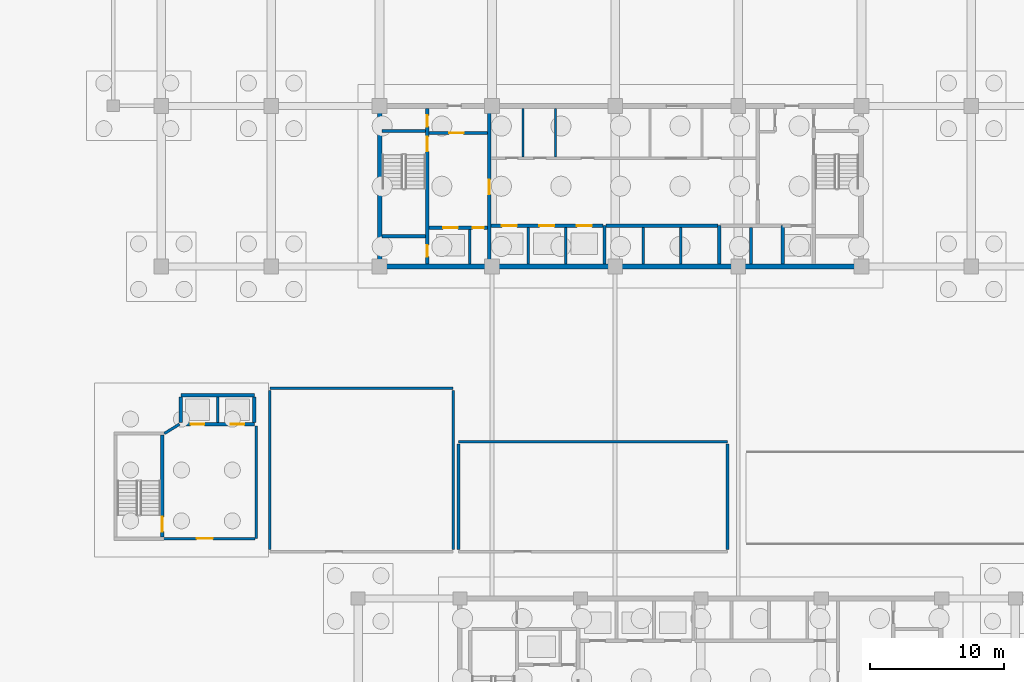
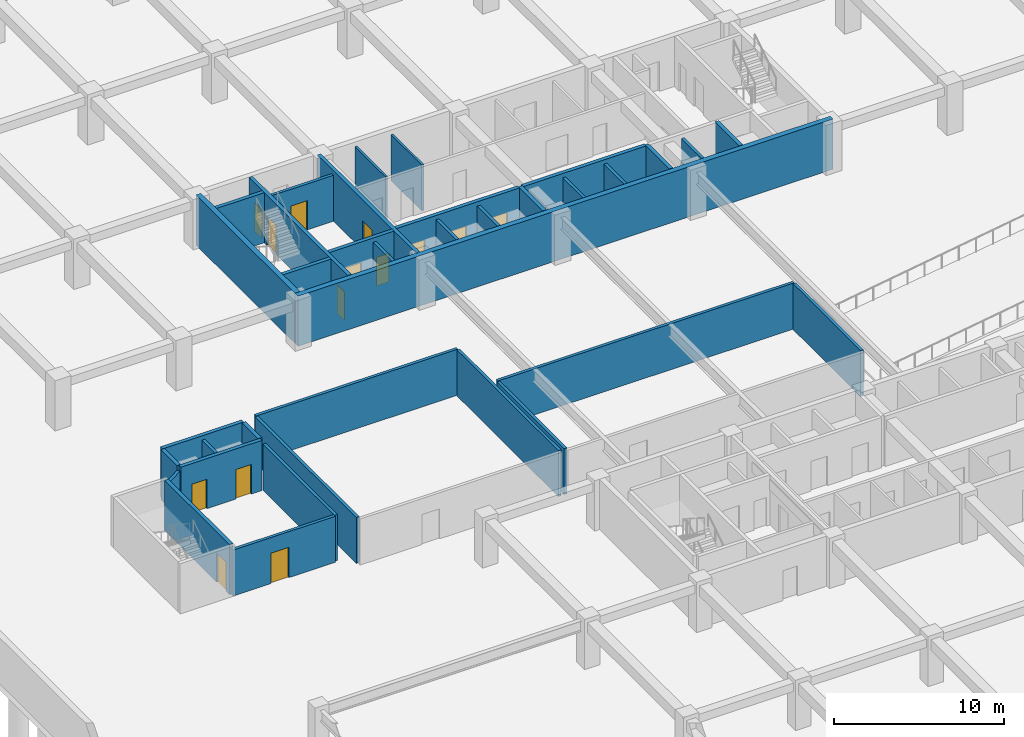
# One storey, part 13 of 26: 36 walls, 14 doors, 14 openings.
"""IFC4 building model written with IfcOpenShell, lengths in metres."""

from ifc_helpers import new_model, si_unit, direction, frame, frame_2d, origin, place, context, subcontext, project, spatial, rectangle, extrude, material, layer, layer_set, type_object, element, fill, save


model = new_model("IFC4")

# Units and contexts
model_context = context("Model", 3, precision=1e-05, world=origin(), true_north=direction((0.0, 1.0)))
body_context = subcontext(model_context, "Body", "Model", "MODEL_VIEW")
ifc_project = project(units=[si_unit("LENGTHUNIT", "METRE"), si_unit("AREAUNIT", "SQUARE_METRE"), si_unit("VOLUMEUNIT", "CUBIC_METRE"), si_unit("PLANEANGLEUNIT", "RADIAN"), si_unit("MASSUNIT", "GRAM", prefix="KILO")], contexts=[model_context])

# Site, building, storey
site_placement = place(None, origin())
site = spatial("IfcSite", under=ifc_project, at=site_placement, CompositionType="ELEMENT")
building_placement = place(site_placement, origin())
building = spatial("IfcBuilding", under=site, at=building_placement, Name="Korimba Cascade Residences", CompositionType="ELEMENT")
storey_placement = place(building_placement, frame((0.0, 0.0, -10.800048828125)))
storey = spatial("IfcBuildingStorey", under=building, at=storey_placement, Name="B03", CompositionType="ELEMENT", Elevation=-10.800048828125)

# Walls
ifc_material_1 = material(Name="Concrete C65/80", Category="concrete")
ifc_layer_1 = layer(ifc_material_1, 0.35009765625)
ifc_layer_set_1 = layer_set([ifc_layer_1], Name="Concrete C65/80")
wall_type_1 = type_object("IfcWallType", Name="WAL-CORE-350", PredefinedType="SHEAR", material=ifc_layer_set_1)
wall_1_placement = place(storey_placement, frame((75.949951171875, 55.199951171875, 0.0), z_axis=(0.0, 0.0, 1.0), x_axis=(1.0, 0.0, 0.0)))
element("IfcWall", 1, at=wall_1_placement, inside=storey, type_object=wall_type_1, Name="B03 Core Shear Wall CW-B03-T1-S", PredefinedType="SHEAR", context=body_context, shape_type="SweptSolid", body=[
    extrude(rectangle(XDim=36.300048828125, YDim=0.35009765625, at=frame_2d((18.14990234375, 0.0))), origin(), (0.0, 0.0, 1.0), 3.60009765625),
])
wall_2_placement = place(storey_placement, frame((76.125, 55.375, 0.0), z_axis=(0.0, 0.0, 1.0), x_axis=(0.0, 1.0, 0.0)))
element("IfcWall", 2, at=wall_2_placement, inside=storey, type_object=wall_type_1, Name="B03 Core Shear Wall CW-B03-T1-W", PredefinedType="SHEAR", context=body_context, shape_type="SweptSolid", body=[
    extrude(rectangle(XDim=11.64990234375, YDim=0.35009765625, at=frame_2d((5.824951171875, 0.0))), origin(), (0.0, 0.0, 1.0), 3.60009765625),
])
ifc_material_2 = material(Name="Insulated Acoustic Stud Partition", Category="gypsum")
ifc_layer_2 = layer(ifc_material_2, 0.14990234375)
ifc_layer_set_2 = layer_set([ifc_layer_2], Name="Insulated Acoustic Stud Partition")
wall_type_2 = type_object("IfcWallType", Name="WAL-PART-150", PredefinedType="PARTITIONING", material=ifc_layer_set_2)
for number, where, z_axis, x_axis, name in (
    (3, (86.800048828125, 63.39990234375, 0.0), (0.0, 0.0, 1.0), (0.0, 1.0, 0.0), "B03 Partition Wall CW-B03-T1-ERDIV"),
    (4, (89.25, 63.39990234375, 0.0), (0.0, 0.0, 1.0), (0.0, 1.0, 0.0), "B03 Partition Wall CW-B03-T1-PRDIV"),
):
    element("IfcWall", number, at=place(storey_placement, frame(where, z_axis=z_axis, x_axis=x_axis)), inside=storey, type_object=wall_type_2, Name=name, PredefinedType="PARTITIONING", context=body_context, shape_type="SweptSolid", body=[
        extrude(rectangle(XDim=3.60009765625, YDim=0.14990234375, at=frame_2d((1.800048828125, 0.0))), origin(), (0.0, 0.0, 1.0), 3.300048828125),
    ])
ifc_material_3 = material(Name="Concrete C40/50", Category="concrete")
ifc_layer_3 = layer(ifc_material_3, 0.199951171875)
ifc_layer_set_3 = layer_set([ifc_layer_3], Name="Concrete C40/50")
wall_type_3 = type_object("IfcWallType", Name="WAL-PART-200", PredefinedType="PARTITIONING", material=ifc_layer_set_3)
wall_3_placement = place(storey_placement, frame((82.85009765625, 55.39990234375, 0.0), z_axis=(0.0, 0.0, 1.0), x_axis=(0.0, 1.0, 0.0)))
element("IfcWall", 5, at=wall_3_placement, inside=storey, type_object=wall_type_3, Name="B03 Partition Wall CW-B03-T1-FFLDIV", PredefinedType="PARTITIONING", context=body_context, shape_type="SweptSolid", body=[
    extrude(rectangle(XDim=2.56005859375, YDim=0.199951171875, at=frame_2d((1.280029296875, 0.0))), origin(), (0.0, 0.0, 1.0), 3.300048828125),
])

# Wall, opening, door
wall_4_placement = place(storey_placement, frame((79.7900390625, 65.179931640625, 0.0), z_axis=(0.0, 0.0, 1.0), x_axis=(1.0, 0.0, 0.0)))
wall_4 = element("IfcWall", 6, at=wall_4_placement, inside=storey, type_object=wall_type_3, Name="B03 Partition Wall CW-B03-T1-FFLN", PredefinedType="PARTITIONING", context=body_context, shape_type="SweptSolid", body=[
    extrude(rectangle(XDim=4.389892578125, YDim=0.199951171875, at=frame_2d((2.19482421875, 0.0))), origin(), (0.0, 0.0, 1.0), 3.300048828125),
])
opening_1_placement = place(wall_4_placement, frame((1.5, 0.0, 0.0)))
opening_1 = element("IfcOpeningElement", 7, at=opening_1_placement, cuts=wall_4, Name="Opening D-FD1", PredefinedType="OPENING", context=body_context, shape_type="SweptSolid", body=[
    extrude(rectangle(XDim=1.10009765625, YDim=2.10009765625, at=frame_2d((0.550048828125, 1.050048828125))), frame((0.0, 0.10986328125, 0.0), z_axis=(0.0, -1.0, 0.0), x_axis=(1.0, 0.0, 0.0)), (0.0, 0.0, 1.0), 0.219970703125),
])
ifc_material_4 = material(Name="Fire-Rated Steel Core Door", Category="steel")
door_type_1 = type_object("IfcDoorType", Name="DR-FD120-1100", OperationType="NOTDEFINED", PredefinedType="DOOR", material=ifc_material_4)
door_1_placement = place(opening_1_placement, origin())
door_1 = element("IfcDoor", 8, at=door_1_placement, inside=storey, type_object=door_type_1, Name="B03 West Firefighting Lobby Door", OperationType="SINGLE_SWING_RIGHT", OverallHeight=2.10009765625, OverallWidth=1.10009765625, PredefinedType="DOOR", context=body_context, shape_type="SweptSolid", body=[
    extrude(rectangle(XDim=1.10009765625, YDim=2.10009765625, at=frame_2d((0.550048828125, 1.050048828125))), frame((0.0, 0.02490234375, 0.0), z_axis=(0.0, -1.0, 0.0), x_axis=(1.0, 0.0, 0.0)), (0.0, 0.0, 1.0), 0.050048828125),
])
fill(opening_1, door_1)

# Walls
for number, where, z_axis, x_axis, name in (
    (9, (87.199951171875, 55.39990234375, 0.0), (0.0, 0.0, 1.0), (0.0, 1.0, 0.0), "B03 Partition Wall CW-B03-T1-B1D1"),
    (10, (90.0, 55.39990234375, 0.0), (0.0, 0.0, 1.0), (0.0, 1.0, 0.0), "B03 Partition Wall CW-B03-T1-B1D2"),
    (11, (95.800048828125, 55.39990234375, 0.0), (0.0, 0.0, 1.0), (0.0, 1.0, 0.0), "B03 Partition Wall CW-B03-T1-B2D1"),
    (12, (98.60009765625, 55.39990234375, 0.0), (0.0, 0.0, 1.0), (0.0, 1.0, 0.0), "B03 Partition Wall CW-B03-T1-B2D2"),
    (13, (103.85009765625, 55.39990234375, 0.0), (0.0, 0.0, 1.0), (0.0, 1.0, 0.0), "B03 Partition Wall CW-B03-T1-B3D1"),
):
    element("IfcWall", number, at=place(storey_placement, frame(where, z_axis=z_axis, x_axis=x_axis)), inside=storey, type_object=wall_type_3, Name=name, PredefinedType="PARTITIONING", context=body_context, shape_type="SweptSolid", body=[
        extrude(rectangle(XDim=2.72021484375, YDim=0.199951171875, at=frame_2d((1.360107421875, 0.0))), origin(), (0.0, 0.0, 1.0), 3.300048828125),
    ])
wall_5_placement = place(storey_placement, frame((64.0, 43.550048828125, 0.0), z_axis=(0.0, 0.0, 1.0), x_axis=(0.0, 1.0, 0.0)))
element("IfcWall", 14, at=wall_5_placement, inside=storey, type_object=wall_type_3, Name="B03 Partition Wall CW-B03-SHPM", PredefinedType="PARTITIONING", context=body_context, shape_type="SweptSolid", body=[
    extrude(rectangle(XDim=1.89990234375, YDim=0.199951171875, at=frame_2d((0.949951171875, 0.0))), origin(), (0.0, 0.0, 1.0), 3.300048828125),
])

# Wall, opening, door
wall_6_placement = place(storey_placement, frame((59.840087890625, 34.875, 0.0), z_axis=(0.0, 0.0, 1.0), x_axis=(1.0, 0.0, 0.0)))
wall_6 = element("IfcWall", 15, at=wall_6_placement, inside=storey, type_object=wall_type_3, Name="B03 Partition Wall CW-B03-PLOBS", PredefinedType="PARTITIONING", context=body_context, shape_type="SweptSolid", body=[
    extrude(rectangle(XDim=6.9599609375, YDim=0.199951171875, at=frame_2d((3.47998046875, 0.0))), origin(), (0.0, 0.0, 1.0), 3.300048828125),
])
opening_2_placement = place(wall_6_placement, frame((2.60009765625, 0.0, 0.0)))
opening_2 = element("IfcOpeningElement", 16, at=opening_2_placement, cuts=wall_6, Name="Opening D-FD7", PredefinedType="OPENING", context=body_context, shape_type="SweptSolid", body=[
    extrude(rectangle(XDim=1.199951171875, YDim=2.179931640625, at=frame_2d((0.60009765625, 1.08984375))), frame((0.0, 0.10986328125, 0.0), z_axis=(0.0, -1.0, 0.0), x_axis=(1.0, 0.0, 0.0)), (0.0, 0.0, 1.0), 0.219970703125),
])
ifc_material_5 = material(Name="Fire-Rated Shuttle Lobby Door", Category="wood")
door_type_2 = type_object("IfcDoorType", Name="DR-FD90-1200", OperationType="NOTDEFINED", PredefinedType="DOOR", material=ifc_material_5)
door_2_placement = place(opening_2_placement, origin())
door_2 = element("IfcDoor", 17, at=door_2_placement, inside=storey, type_object=door_type_2, Name="B03 Shuttle Lobby Door", OperationType="SINGLE_SWING_RIGHT", OverallHeight=2.179931640625, OverallWidth=1.199951171875, PredefinedType="DOOR", context=body_context, shape_type="SweptSolid", body=[
    extrude(rectangle(XDim=1.199951171875, YDim=2.179931640625, at=frame_2d((0.60009765625, 1.08984375))), frame((0.0, 0.02490234375, 0.0), z_axis=(0.0, -1.0, 0.0), x_axis=(1.0, 0.0, 0.0)), (0.0, 0.0, 1.0), 0.050048828125),
])
fill(opening_2, door_2)

# Walls
wall_7_placement = place(storey_placement, frame((66.89990234375, 34.875, 0.0), z_axis=(0.0, 0.0, 1.0), x_axis=(0.0, 1.0, 0.0)))
element("IfcWall", 18, at=wall_7_placement, inside=storey, type_object=wall_type_3, Name="B03 Partition Wall CW-B03-PLOBE", PredefinedType="PARTITIONING", context=body_context, shape_type="SweptSolid", body=[
    extrude(rectangle(XDim=8.425048828125, YDim=0.199951171875, at=frame_2d((4.21240234375, 0.0))), origin(), (0.0, 0.0, 1.0), 3.300048828125),
])
wall_8_placement = place(storey_placement, frame((60.02001953125, 42.72509765625, 0.0), z_axis=(0.0, 0.0, 1.0), x_axis=(0.851822584555, 0.523830396638, 0.0)))
element("IfcWall", 19, at=wall_8_placement, inside=storey, type_object=wall_type_3, Name="B03 Partition Wall CW-B03-PLOBN", PredefinedType="PARTITIONING", context=body_context, shape_type="SweptSolid", body=[
    extrude(rectangle(XDim=1.326416015625, YDim=0.199951171875, at=frame_2d((0.6630859375, 0.0))), origin(), (0.0, 0.0, 1.0), 3.300048828125),
])
wall_9_placement = place(storey_placement, frame((67.89990234375, 46.10009765625, 0.0), z_axis=(0.0, 0.0, 1.0), x_axis=(1.0, 0.0, 0.0)))
element("IfcWall", 20, at=wall_9_placement, inside=storey, type_object=wall_type_3, Name="B03 Partition Wall WAL-B03-PMPN", PredefinedType="PARTITIONING", context=body_context, shape_type="SweptSolid", body=[
    extrude(rectangle(XDim=13.7001953125, YDim=0.199951171875, at=frame_2d((6.85009765625, 0.0))), origin(), (0.0, 0.0, 1.0), 3.300048828125),
])
for number, where, z_axis, x_axis, name in (
    (21, (67.89990234375, 34.050048828125, 0.0), (0.0, 0.0, 1.0), (0.0, 1.0, 0.0), "B03 Partition Wall WAL-B03-PMPW"),
    (22, (81.60009765625, 34.050048828125, 0.0), (0.0, 0.0, 1.0), (0.0, 1.0, 0.0), "B03 Partition Wall WAL-B03-PMPE"),
):
    element("IfcWall", number, at=place(storey_placement, frame(where, z_axis=z_axis, x_axis=x_axis)), inside=storey, type_object=wall_type_3, Name=name, PredefinedType="PARTITIONING", context=body_context, shape_type="SweptSolid", body=[
        extrude(rectangle(XDim=11.89990234375, YDim=0.199951171875, at=frame_2d((5.949951171875, 0.0))), origin(), (0.0, 0.0, 1.0), 3.300048828125),
    ])
wall_10_placement = place(storey_placement, frame((82.0, 42.10009765625, 0.0), z_axis=(0.0, 0.0, 1.0), x_axis=(1.0, 0.0, 0.0)))
element("IfcWall", 23, at=wall_10_placement, inside=storey, type_object=wall_type_3, Name="B03 Partition Wall WAL-B03-HVSN", PredefinedType="PARTITIONING", context=body_context, shape_type="SweptSolid", body=[
    extrude(rectangle(XDim=20.10009765625, YDim=0.199951171875, at=frame_2d((10.050048828125, 0.0))), origin(), (0.0, 0.0, 1.0), 3.300048828125),
])
for number, where, z_axis, x_axis, name in (
    (24, (82.0, 34.050048828125, 0.0), (0.0, 0.0, 1.0), (0.0, 1.0, 0.0), "B03 Partition Wall WAL-B03-HVSW"),
    (25, (102.10009765625, 34.050048828125, 0.0), (0.0, 0.0, 1.0), (0.0, 1.0, 0.0), "B03 Partition Wall WAL-B03-HVSE"),
):
    element("IfcWall", number, at=place(storey_placement, frame(where, z_axis=z_axis, x_axis=x_axis)), inside=storey, type_object=wall_type_3, Name=name, PredefinedType="PARTITIONING", context=body_context, shape_type="SweptSolid", body=[
        extrude(rectangle(XDim=7.89990234375, YDim=0.199951171875, at=frame_2d((3.949951171875, 0.0))), origin(), (0.0, 0.0, 1.0), 3.300048828125),
    ])

# Wall, openings, doors
ifc_material_6 = material(Name="Concrete C50/60", Category="concrete")
ifc_layer_4 = layer(ifc_material_6, 0.25)
ifc_layer_set_4 = layer_set([ifc_layer_4], Name="Concrete C50/60")
wall_type_4 = type_object("IfcWallType", Name="WAL-SHAFT-250", PredefinedType="SHEAR", material=ifc_layer_set_4)
wall_11_placement = place(storey_placement, frame((79.6650390625, 55.39990234375, 0.0), z_axis=(0.0, 0.0, 1.0), x_axis=(0.0, 1.0, 0.0)))
wall_11 = element("IfcWall", 26, at=wall_11_placement, inside=storey, type_object=wall_type_4, Name="B03 Core Shear Wall CW-B03-T1-STW1E", PredefinedType="SHEAR", context=body_context, shape_type="SweptSolid", body=[
    extrude(rectangle(XDim=11.60009765625, YDim=0.25, at=frame_2d((5.800048828125, 0.0))), origin(), (0.0, 0.0, 1.0), 3.60009765625),
])
opening_3_placement = place(wall_11_placement, frame((0.550048828125, 0.0, 0.0)))
opening_3 = element("IfcOpeningElement", 27, at=opening_3_placement, cuts=wall_11, Name="Opening D-RS1", PredefinedType="OPENING", context=body_context, shape_type="SweptSolid", body=[
    extrude(rectangle(XDim=0.85009765625, YDim=2.050048828125, at=frame_2d((0.425048828125, 1.02490234375))), frame((0.0, 0.135009765625, 0.0), z_axis=(0.0, -1.0, 0.0), x_axis=(1.0, 0.0, 0.0)), (0.0, 0.0, 1.0), 0.27001953125),
])
opening_4_placement = place(wall_11_placement, frame((8.39990234375, 0.0, 0.0)))
opening_4 = element("IfcOpeningElement", 28, at=opening_4_placement, cuts=wall_11, Name="Opening D-FD1", PredefinedType="OPENING", context=body_context, shape_type="SweptSolid", body=[
    extrude(rectangle(XDim=1.10009765625, YDim=2.10009765625, at=frame_2d((0.550048828125, 1.050048828125))), frame((0.0, 0.135009765625, 0.0), z_axis=(0.0, -1.0, 0.0), x_axis=(1.0, 0.0, 0.0)), (0.0, 0.0, 1.0), 0.27001953125),
])
opening_5_placement = place(wall_11_placement, frame((10.25, 0.0, 0.0)))
opening_5 = element("IfcOpeningElement", 29, at=opening_5_placement, cuts=wall_11, Name="Opening D-RS1", PredefinedType="OPENING", context=body_context, shape_type="SweptSolid", body=[
    extrude(rectangle(XDim=0.85009765625, YDim=2.050048828125, at=frame_2d((0.425048828125, 1.02490234375))), frame((0.0, 0.135009765625, 0.0), z_axis=(0.0, -1.0, 0.0), x_axis=(1.0, 0.0, 0.0)), (0.0, 0.0, 1.0), 0.27001953125),
])
door_3_placement = place(opening_4_placement, origin())
door_3 = element("IfcDoor", 30, at=door_3_placement, inside=storey, type_object=door_type_1, Name="B03 Fire Stair ST-W1 Door", OperationType="SINGLE_SWING_LEFT", OverallHeight=2.10009765625, OverallWidth=1.10009765625, PredefinedType="DOOR", context=body_context, shape_type="SweptSolid", body=[
    extrude(rectangle(XDim=1.10009765625, YDim=2.10009765625, at=frame_2d((0.550048828125, 1.050048828125))), frame((0.0, 0.02490234375, 0.0), z_axis=(0.0, -1.0, 0.0), x_axis=(1.0, 0.0, 0.0)), (0.0, 0.0, 1.0), 0.050048828125),
])
fill(opening_4, door_3)
ifc_material_7 = material(Name="Fire-Rated Steel Riser Access Door", Category="steel")
door_type_3 = type_object("IfcDoorType", Name="DR-FD60-850", OperationType="NOTDEFINED", PredefinedType="DOOR", material=ifc_material_7)
door_4_placement = place(opening_3_placement, origin())
door_4 = element("IfcDoor", 31, at=door_4_placement, inside=storey, type_object=door_type_3, Name="B03 Smoke Riser Access Door", OperationType="SINGLE_SWING_RIGHT", OverallHeight=2.050048828125, OverallWidth=0.85009765625, PredefinedType="DOOR", context=body_context, shape_type="SweptSolid", body=[
    extrude(rectangle(XDim=0.85009765625, YDim=2.050048828125, at=frame_2d((0.425048828125, 1.02490234375))), frame((0.0, 0.02490234375, 0.0), z_axis=(0.0, -1.0, 0.0), x_axis=(1.0, 0.0, 0.0)), (0.0, 0.0, 1.0), 0.050048828125),
])
fill(opening_3, door_4)
door_5_placement = place(opening_5_placement, origin())
door_5 = element("IfcDoor", 32, at=door_5_placement, inside=storey, type_object=door_type_3, Name="B03 Hydrant Riser Access Door", OperationType="SINGLE_SWING_RIGHT", OverallHeight=2.050048828125, OverallWidth=0.85009765625, PredefinedType="DOOR", context=body_context, shape_type="SweptSolid", body=[
    extrude(rectangle(XDim=0.85009765625, YDim=2.050048828125, at=frame_2d((0.425048828125, 1.02490234375))), frame((0.0, 0.02490234375, 0.0), z_axis=(0.0, -1.0, 0.0), x_axis=(1.0, 0.0, 0.0)), (0.0, 0.0, 1.0), 0.050048828125),
])
fill(opening_5, door_5)

# Walls
for number, where, z_axis, x_axis, name in (
    (33, (76.300048828125, 57.47509765625, 0.0), (0.0, 0.0, 1.0), (1.0, 0.0, 0.0), "B03 Core Shear Wall CW-B03-T1-STW1S"),
    (34, (76.300048828125, 65.324951171875, 0.0), (0.0, 0.0, 1.0), (1.0, 0.0, 0.0), "B03 Core Shear Wall CW-B03-T1-STW1N"),
):
    element("IfcWall", number, at=place(storey_placement, frame(where, z_axis=z_axis, x_axis=x_axis)), inside=storey, type_object=wall_type_4, Name=name, PredefinedType="SHEAR", context=body_context, shape_type="SweptSolid", body=[
        extrude(rectangle(XDim=3.239990234375, YDim=0.25, at=frame_2d((1.6201171875, 0.0))), origin(), (0.0, 0.0, 1.0), 3.60009765625),
    ])

# Wall, openings, doors
wall_12_placement = place(storey_placement, frame((79.7900390625, 58.10009765625, 0.0), z_axis=(0.0, 0.0, 1.0), x_axis=(1.0, 0.0, 0.0)))
wall_12 = element("IfcWall", 35, at=wall_12_placement, inside=storey, type_object=wall_type_4, Name="B03 Core Shear Wall CW-B03-T1-FFLS", PredefinedType="SHEAR", context=body_context, shape_type="SweptSolid", body=[
    extrude(rectangle(XDim=4.389892578125, YDim=0.25, at=frame_2d((2.19482421875, 0.0))), origin(), (0.0, 0.0, 1.0), 3.60009765625),
])
opening_6_placement = place(wall_12_placement, frame((1.050048828125, 0.0, 0.0)))
opening_6 = element("IfcOpeningElement", 36, at=opening_6_placement, cuts=wall_12, Name="Opening LD-01", PredefinedType="OPENING", context=body_context, shape_type="SweptSolid", body=[
    extrude(rectangle(XDim=1.1201171875, YDim=2.1201171875, at=frame_2d((0.56005859375, 1.06005859375))), frame((0.0, 0.135009765625, 0.0), z_axis=(0.0, -1.0, 0.0), x_axis=(1.0, 0.0, 0.0)), (0.0, 0.0, 1.0), 0.27001953125),
])
opening_7_placement = place(wall_12_placement, frame((3.260009765625, 0.0, 0.0)))
opening_7 = element("IfcOpeningElement", 37, at=opening_7_placement, cuts=wall_12, Name="Opening D-RS1", PredefinedType="OPENING", context=body_context, shape_type="SweptSolid", body=[
    extrude(rectangle(XDim=0.85009765625, YDim=2.050048828125, at=frame_2d((0.425048828125, 1.02490234375))), frame((0.0, 0.135009765625, 0.0), z_axis=(0.0, -1.0, 0.0), x_axis=(1.0, 0.0, 0.0)), (0.0, 0.0, 1.0), 0.27001953125),
])
door_6_placement = place(opening_7_placement, origin())
door_6 = element("IfcDoor", 38, at=door_6_placement, inside=storey, type_object=door_type_3, Name="B03 Pressurisation Riser Door", OperationType="SINGLE_SWING_LEFT", OverallHeight=2.050048828125, OverallWidth=0.85009765625, PredefinedType="DOOR", context=body_context, shape_type="SweptSolid", body=[
    extrude(rectangle(XDim=0.85009765625, YDim=2.050048828125, at=frame_2d((0.425048828125, 1.02490234375))), frame((0.0, 0.02490234375, 0.0), z_axis=(0.0, -1.0, 0.0), x_axis=(1.0, 0.0, 0.0)), (0.0, 0.0, 1.0), 0.050048828125),
])
fill(opening_7, door_6)
ifc_material_8 = material(Name="Stainless Steel Lift Landing Sliding Door", Category="steel")
door_type_4 = type_object("IfcDoorType", Name="DR-LIFT-1100", OperationType="NOTDEFINED", PredefinedType="DOOR", material=ifc_material_8)
door_7_placement = place(opening_6_placement, origin())
door_7 = element("IfcDoor", 39, at=door_7_placement, inside=storey, type_object=door_type_4, Name="B03 Firefighting Lift Landing Door FFL-W1", OperationType="SLIDING_TO_LEFT", OverallHeight=2.1201171875, OverallWidth=1.1201171875, PredefinedType="DOOR", context=body_context, shape_type="SweptSolid", body=[
    extrude(rectangle(XDim=1.1201171875, YDim=2.1201171875, at=frame_2d((0.56005859375, 1.06005859375))), frame((0.0, 0.02490234375, 0.0), z_axis=(0.0, -1.0, 0.0), x_axis=(1.0, 0.0, 0.0)), (0.0, 0.0, 1.0), 0.050048828125),
])
fill(opening_6, door_7)

# Wall, opening, door
wall_13_placement = place(storey_placement, frame((84.300048828125, 55.39990234375, 0.0), z_axis=(0.0, 0.0, 1.0), x_axis=(0.0, 1.0, 0.0)))
wall_13 = element("IfcWall", 40, at=wall_13_placement, inside=storey, type_object=wall_type_4, Name="B03 Core Shear Wall CW-B03-T1-FFLE", PredefinedType="SHEAR", context=body_context, shape_type="SweptSolid", body=[
    extrude(rectangle(XDim=11.60009765625, YDim=0.25, at=frame_2d((5.800048828125, 0.0))), origin(), (0.0, 0.0, 1.0), 3.60009765625),
])
opening_8_placement = place(wall_13_placement, frame((5.199951171875, 0.0, 0.0)))
opening_8 = element("IfcOpeningElement", 41, at=opening_8_placement, cuts=wall_13, Name="Opening D-FD1", PredefinedType="OPENING", context=body_context, shape_type="SweptSolid", body=[
    extrude(rectangle(XDim=1.10009765625, YDim=2.10009765625, at=frame_2d((0.550048828125, 1.050048828125))), frame((0.0, 0.135009765625, 0.0), z_axis=(0.0, -1.0, 0.0), x_axis=(1.0, 0.0, 0.0)), (0.0, 0.0, 1.0), 0.27001953125),
])
door_8_placement = place(opening_8_placement, origin())
door_8 = element("IfcDoor", 42, at=door_8_placement, inside=storey, type_object=door_type_1, Name="B03 Firefighting Lobby to Lift Lobby Door", OperationType="SINGLE_SWING_LEFT", OverallHeight=2.10009765625, OverallWidth=1.10009765625, PredefinedType="DOOR", context=body_context, shape_type="SweptSolid", body=[
    extrude(rectangle(XDim=1.10009765625, YDim=2.10009765625, at=frame_2d((0.550048828125, 1.050048828125))), frame((0.0, 0.02490234375, 0.0), z_axis=(0.0, -1.0, 0.0), x_axis=(1.0, 0.0, 0.0)), (0.0, 0.0, 1.0), 0.050048828125),
])
fill(opening_8, door_8)

# Wall, openings, doors
wall_14_placement = place(storey_placement, frame((84.419921875, 58.25, 0.0), z_axis=(0.0, 0.0, 1.0), x_axis=(1.0, 0.0, 0.0)))
wall_14 = element("IfcWall", 43, at=wall_14_placement, inside=storey, type_object=wall_type_4, Name="B03 Core Shear Wall CW-B03-T1-B1N", PredefinedType="SHEAR", context=body_context, shape_type="SweptSolid", body=[
    extrude(rectangle(XDim=8.360107421875, YDim=0.25, at=frame_2d((4.18017578125, 0.0))), origin(), (0.0, 0.0, 1.0), 3.60009765625),
])
opening_9_placement = place(wall_14_placement, frame((0.820068359375, 0.0, 0.0)))
opening_9 = element("IfcOpeningElement", 44, at=opening_9_placement, cuts=wall_14, Name="Opening LD-01", PredefinedType="OPENING", context=body_context, shape_type="SweptSolid", body=[
    extrude(rectangle(XDim=1.1201171875, YDim=2.1201171875, at=frame_2d((0.56005859375, 1.06005859375))), frame((0.0, 0.135009765625, 0.0), z_axis=(0.0, -1.0, 0.0), x_axis=(1.0, 0.0, 0.0)), (0.0, 0.0, 1.0), 0.27001953125),
])
opening_10_placement = place(wall_14_placement, frame((3.6201171875, 0.0, 0.0)))
opening_10 = element("IfcOpeningElement", 45, at=opening_10_placement, cuts=wall_14, Name="Opening LD-01", PredefinedType="OPENING", context=body_context, shape_type="SweptSolid", body=[
    extrude(rectangle(XDim=1.1201171875, YDim=2.1201171875, at=frame_2d((0.56005859375, 1.06005859375))), frame((0.0, 0.135009765625, 0.0), z_axis=(0.0, -1.0, 0.0), x_axis=(1.0, 0.0, 0.0)), (0.0, 0.0, 1.0), 0.27001953125),
])
opening_11_placement = place(wall_14_placement, frame((6.419921875, 0.0, 0.0)))
opening_11 = element("IfcOpeningElement", 46, at=opening_11_placement, cuts=wall_14, Name="Opening LD-01", PredefinedType="OPENING", context=body_context, shape_type="SweptSolid", body=[
    extrude(rectangle(XDim=1.1201171875, YDim=2.1201171875, at=frame_2d((0.56005859375, 1.06005859375))), frame((0.0, 0.135009765625, 0.0), z_axis=(0.0, -1.0, 0.0), x_axis=(1.0, 0.0, 0.0)), (0.0, 0.0, 1.0), 0.27001953125),
])
door_9_placement = place(opening_9_placement, origin())
door_9 = element("IfcDoor", 47, at=door_9_placement, inside=storey, type_object=door_type_4, Name="B03 Lift Landing Door PL-W1", OperationType="SLIDING_TO_LEFT", OverallHeight=2.1201171875, OverallWidth=1.1201171875, PredefinedType="DOOR", context=body_context, shape_type="SweptSolid", body=[
    extrude(rectangle(XDim=1.1201171875, YDim=2.1201171875, at=frame_2d((0.56005859375, 1.06005859375))), frame((0.0, 0.02490234375, 0.0), z_axis=(0.0, -1.0, 0.0), x_axis=(1.0, 0.0, 0.0)), (0.0, 0.0, 1.0), 0.050048828125),
])
fill(opening_9, door_9)
door_10_placement = place(opening_10_placement, origin())
door_10 = element("IfcDoor", 48, at=door_10_placement, inside=storey, type_object=door_type_4, Name="B03 Lift Landing Door PL-W2", OperationType="SLIDING_TO_LEFT", OverallHeight=2.1201171875, OverallWidth=1.1201171875, PredefinedType="DOOR", context=body_context, shape_type="SweptSolid", body=[
    extrude(rectangle(XDim=1.1201171875, YDim=2.1201171875, at=frame_2d((0.56005859375, 1.06005859375))), frame((0.0, 0.02490234375, 0.0), z_axis=(0.0, -1.0, 0.0), x_axis=(1.0, 0.0, 0.0)), (0.0, 0.0, 1.0), 0.050048828125),
])
fill(opening_10, door_10)
door_11_placement = place(opening_11_placement, origin())
door_11 = element("IfcDoor", 49, at=door_11_placement, inside=storey, type_object=door_type_4, Name="B03 Lift Landing Door PL-W3", OperationType="SLIDING_TO_LEFT", OverallHeight=2.1201171875, OverallWidth=1.1201171875, PredefinedType="DOOR", context=body_context, shape_type="SweptSolid", body=[
    extrude(rectangle(XDim=1.1201171875, YDim=2.1201171875, at=frame_2d((0.56005859375, 1.06005859375))), frame((0.0, 0.02490234375, 0.0), z_axis=(0.0, -1.0, 0.0), x_axis=(1.0, 0.0, 0.0)), (0.0, 0.0, 1.0), 0.050048828125),
])
fill(opening_11, door_11)

# Walls
wall_15_placement = place(storey_placement, frame((92.89990234375, 55.39990234375, 0.0), z_axis=(0.0, 0.0, 1.0), x_axis=(0.0, 1.0, 0.0)))
element("IfcWall", 50, at=wall_15_placement, inside=storey, type_object=wall_type_4, Name="B03 Core Shear Wall CW-B03-T1-B12DIV", PredefinedType="SHEAR", context=body_context, shape_type="SweptSolid", body=[
    extrude(rectangle(XDim=2.85009765625, YDim=0.25, at=frame_2d((1.425048828125, 0.0))), origin(), (0.0, 0.0, 1.0), 3.60009765625),
])
wall_16_placement = place(storey_placement, frame((93.02001953125, 58.25, 0.0), z_axis=(0.0, 0.0, 1.0), x_axis=(1.0, 0.0, 0.0)))
element("IfcWall", 51, at=wall_16_placement, inside=storey, type_object=wall_type_4, Name="B03 Core Shear Wall CW-B03-T1-B2N", PredefinedType="SHEAR", context=body_context, shape_type="SweptSolid", body=[
    extrude(rectangle(XDim=8.35986328125, YDim=0.25, at=frame_2d((4.179931640625, 0.0))), origin(), (0.0, 0.0, 1.0), 3.60009765625),
])
for number, where, z_axis, x_axis, name in (
    (52, (101.47998046875, 55.39990234375, 0.0), (0.0, 0.0, 1.0), (0.0, 1.0, 0.0), "B03 Core Shear Wall CW-B03-T1-B23DIV"),
    (53, (106.219970703125, 55.39990234375, 0.0), (0.0, 0.0, 1.0), (0.0, 1.0, 0.0), "B03 Core Shear Wall CW-B03-T1-FF2W"),
):
    element("IfcWall", number, at=place(storey_placement, frame(where, z_axis=z_axis, x_axis=x_axis)), inside=storey, type_object=wall_type_4, Name=name, PredefinedType="SHEAR", context=body_context, shape_type="SweptSolid", body=[
        extrude(rectangle(XDim=2.85009765625, YDim=0.25, at=frame_2d((1.425048828125, 0.0))), origin(), (0.0, 0.0, 1.0), 3.60009765625),
    ])

# Wall, opening, door
wall_17_placement = place(storey_placement, frame((59.864990234375, 35.0, 0.0), z_axis=(0.0, 0.0, 1.0), x_axis=(0.0, 1.0, 0.0)))
wall_17 = element("IfcWall", 54, at=wall_17_placement, inside=storey, type_object=wall_type_4, Name="B03 Core Shear Wall CW-B03-STP1E", PredefinedType="SHEAR", context=body_context, shape_type="SweptSolid", body=[
    extrude(rectangle(XDim=7.60009765625, YDim=0.25, at=frame_2d((3.800048828125, 0.0))), origin(), (0.0, 0.0, 1.0), 3.60009765625),
])
opening_12_placement = place(wall_17_placement, frame((0.39990234375, 0.0, 0.0)))
opening_12 = element("IfcOpeningElement", 55, at=opening_12_placement, cuts=wall_17, Name="Opening D-FD1", PredefinedType="OPENING", context=body_context, shape_type="SweptSolid", body=[
    extrude(rectangle(XDim=1.10009765625, YDim=2.10009765625, at=frame_2d((0.550048828125, 1.050048828125))), frame((0.0, 0.135009765625, 0.0), z_axis=(0.0, -1.0, 0.0), x_axis=(1.0, 0.0, 0.0)), (0.0, 0.0, 1.0), 0.27001953125),
])
door_12_placement = place(opening_12_placement, origin())
door_12 = element("IfcDoor", 56, at=door_12_placement, inside=storey, type_object=door_type_1, Name="B03 Podium Stair ST-P1 Door", OperationType="SINGLE_SWING_LEFT", OverallHeight=2.10009765625, OverallWidth=1.10009765625, PredefinedType="DOOR", context=body_context, shape_type="SweptSolid", body=[
    extrude(rectangle(XDim=1.10009765625, YDim=2.10009765625, at=frame_2d((0.550048828125, 1.050048828125))), frame((0.0, 0.02490234375, 0.0), z_axis=(0.0, -1.0, 0.0), x_axis=(1.0, 0.0, 0.0)), (0.0, 0.0, 1.0), 0.050048828125),
])
fill(opening_12, door_12)

# Wall, openings, doors
wall_18_placement = place(storey_placement, frame((61.25, 43.419921875, 0.0), z_axis=(0.0, 0.0, 1.0), x_axis=(1.0, 0.0, 0.0)))
wall_18 = element("IfcWall", 57, at=wall_18_placement, inside=storey, type_object=wall_type_4, Name="B03 Core Shear Wall CW-B03-SHPS", PredefinedType="SHEAR", context=body_context, shape_type="SweptSolid", body=[
    extrude(rectangle(XDim=5.5, YDim=0.25, at=frame_2d((2.75, 0.0))), origin(), (0.0, 0.0, 1.0), 3.60009765625),
])
opening_13_placement = place(wall_18_placement, frame((0.739990234375, 0.0, 0.0)))
opening_13 = element("IfcOpeningElement", 58, at=opening_13_placement, cuts=wall_18, Name="Opening LD-02", PredefinedType="OPENING", context=body_context, shape_type="SweptSolid", body=[
    extrude(rectangle(XDim=1.02001953125, YDim=2.1201171875, at=frame_2d((0.510009765625, 1.06005859375))), frame((0.0, 0.135009765625, 0.0), z_axis=(0.0, -1.0, 0.0), x_axis=(1.0, 0.0, 0.0)), (0.0, 0.0, 1.0), 0.27001953125),
])
opening_14_placement = place(wall_18_placement, frame((3.739990234375, 0.0, 0.0)))
opening_14 = element("IfcOpeningElement", 59, at=opening_14_placement, cuts=wall_18, Name="Opening LD-02", PredefinedType="OPENING", context=body_context, shape_type="SweptSolid", body=[
    extrude(rectangle(XDim=1.02001953125, YDim=2.1201171875, at=frame_2d((0.510009765625, 1.06005859375))), frame((0.0, 0.135009765625, 0.0), z_axis=(0.0, -1.0, 0.0), x_axis=(1.0, 0.0, 0.0)), (0.0, 0.0, 1.0), 0.27001953125),
])
ifc_material_9 = material(Name="Stainless Steel Shuttle Lift Landing Door", Category="steel")
door_type_5 = type_object("IfcDoorType", Name="DR-LIFT-1000", OperationType="NOTDEFINED", PredefinedType="DOOR", material=ifc_material_9)
door_13_placement = place(opening_13_placement, origin())
door_13 = element("IfcDoor", 60, at=door_13_placement, inside=storey, type_object=door_type_5, Name="B03 Shuttle Lift Landing Door PL-P1", OperationType="SLIDING_TO_LEFT", OverallHeight=2.1201171875, OverallWidth=1.02001953125, PredefinedType="DOOR", context=body_context, shape_type="SweptSolid", body=[
    extrude(rectangle(XDim=1.02001953125, YDim=2.1201171875, at=frame_2d((0.510009765625, 1.06005859375))), frame((0.0, 0.02490234375, 0.0), z_axis=(0.0, -1.0, 0.0), x_axis=(1.0, 0.0, 0.0)), (0.0, 0.0, 1.0), 0.050048828125),
])
fill(opening_13, door_13)
door_14_placement = place(opening_14_placement, origin())
door_14 = element("IfcDoor", 61, at=door_14_placement, inside=storey, type_object=door_type_5, Name="B03 Shuttle Lift Landing Door PL-P2", OperationType="SLIDING_TO_RIGHT", OverallHeight=2.1201171875, OverallWidth=1.02001953125, PredefinedType="DOOR", context=body_context, shape_type="SweptSolid", body=[
    extrude(rectangle(XDim=1.02001953125, YDim=2.1201171875, at=frame_2d((0.510009765625, 1.06005859375))), frame((0.0, 0.02490234375, 0.0), z_axis=(0.0, -1.0, 0.0), x_axis=(1.0, 0.0, 0.0)), (0.0, 0.0, 1.0), 0.050048828125),
])
fill(opening_14, door_14)

# Walls
wall_19_placement = place(storey_placement, frame((61.25, 45.580078125, 0.0), z_axis=(0.0, 0.0, 1.0), x_axis=(1.0, 0.0, 0.0)))
element("IfcWall", 62, at=wall_19_placement, inside=storey, type_object=wall_type_4, Name="B03 Core Shear Wall CW-B03-SHPN", PredefinedType="SHEAR", context=body_context, shape_type="SweptSolid", body=[
    extrude(rectangle(XDim=5.5, YDim=0.25, at=frame_2d((2.75, 0.0))), origin(), (0.0, 0.0, 1.0), 3.60009765625),
])
for number, where, z_axis, x_axis, name in (
    (63, (61.25, 43.550048828125, 0.0), (0.0, 0.0, 1.0), (0.0, 1.0, 0.0), "B03 Core Shear Wall CW-B03-SHPW"),
    (64, (66.75, 43.550048828125, 0.0), (0.0, 0.0, 1.0), (0.0, 1.0, 0.0), "B03 Core Shear Wall CW-B03-SHPE"),
):
    element("IfcWall", number, at=place(storey_placement, frame(where, z_axis=z_axis, x_axis=x_axis)), inside=storey, type_object=wall_type_4, Name=name, PredefinedType="SHEAR", context=body_context, shape_type="SweptSolid", body=[
        extrude(rectangle(XDim=1.89990234375, YDim=0.25, at=frame_2d((0.949951171875, 0.0))), origin(), (0.0, 0.0, 1.0), 3.60009765625),
    ])

save(model, "model.ifc")
